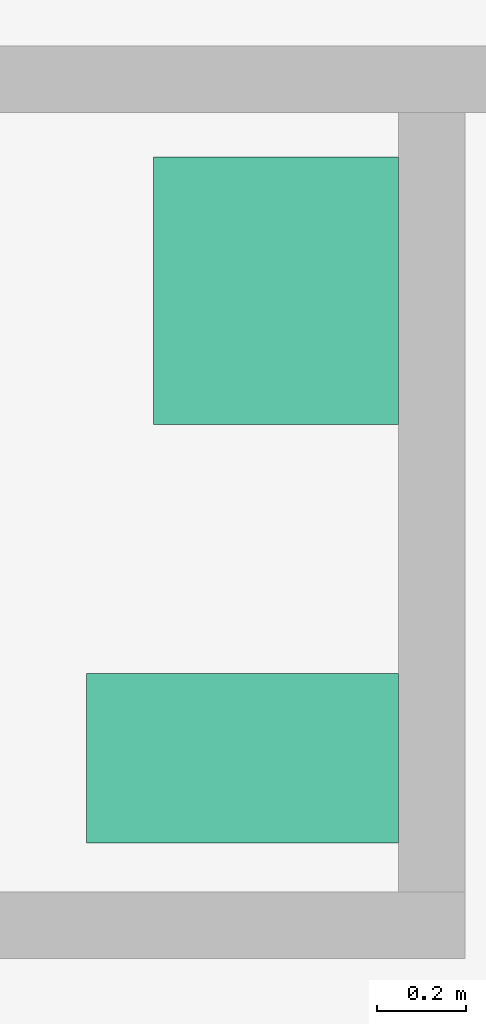
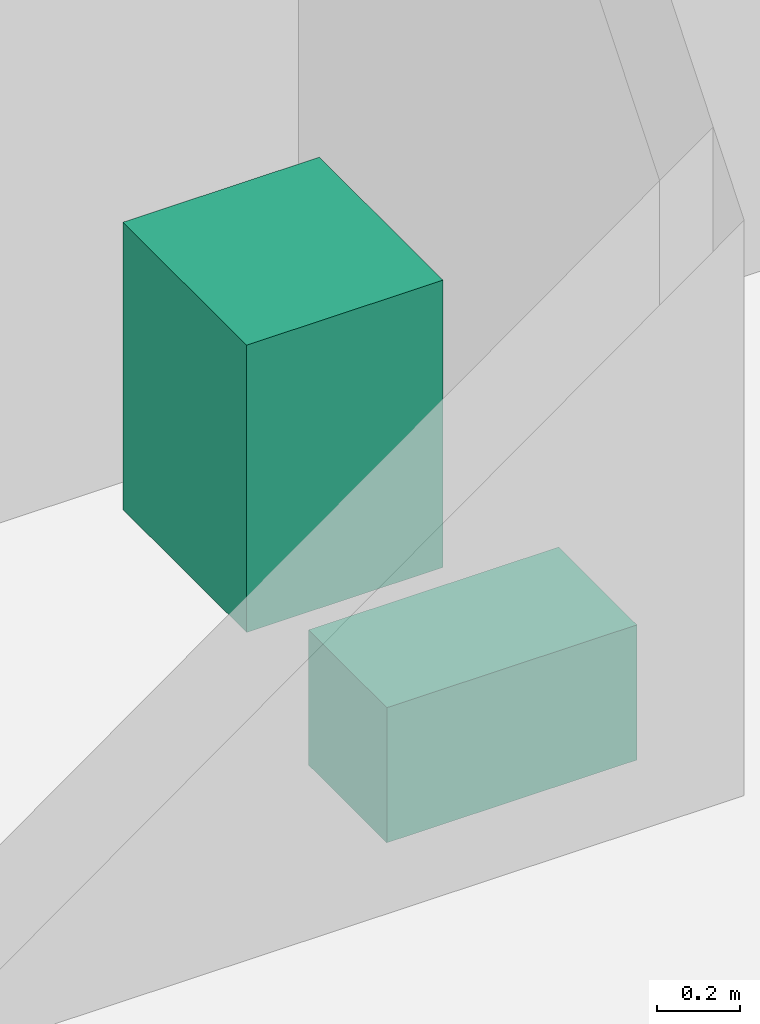
# One storey, part 14 of 14: 2 sanitary terminals.
"""IFC4 building model written with IfcOpenShell, lengths in metres."""

import ifcopenshell
import ifcopenshell.guid

model = None  # the IFC model being written
_history = None  # IfcOwnerHistory: only IFC2X3 demands one
_inside = {}  # id of a spatial element -> (the spatial element, [elements in it])
_under = {}  # id of a project, library or spatial element -> (it, [spatial elements below it])
_declared = {}  # id of a project -> (the project, [libraries it declares])
_typed = {}  # id of a type object -> (the type object, [elements of that type])
_made_of = {}  # id of a material, layer set ... -> (it, [elements and type objects made of it])


def new_model(schema):
    """Start an empty IFC model of exactly this schema.

    Asked for "IFC4X3", IfcOpenShell would pick the latest addendum, in which some entities
    have other attributes; the version numbers below select the first issue.
    IFC2X3 requires an IfcOwnerHistory on every rooted entity: one is made here for all.
    """
    global model, _history
    if schema == "IFC4X3":
        model = ifcopenshell.file(schema_version=(4, 3, 0, 0))
    else:
        model = ifcopenshell.file(schema=schema)
    _inside.clear()
    _under.clear()
    _declared.clear()
    _typed.clear()
    _made_of.clear()
    _history = None
    if model.schema == "IFC2X3":
        org = make("IfcOrganization", Name="unknown")
        user = make(
            "IfcPersonAndOrganization",
            ThePerson=make("IfcPerson", FamilyName="unknown"),
            TheOrganization=org,
        )
        app = make(
            "IfcApplication",
            ApplicationDeveloper=org,
            Version="unknown",
            ApplicationFullName="unknown",
            ApplicationIdentifier="unknown",
        )
        _history = make(
            "IfcOwnerHistory",
            OwningUser=user,
            OwningApplication=app,
            ChangeAction="ADDED",
            CreationDate=0,
        )
    return model


def make(cls, **values):
    """One entity of the class cls with the attributes given. An attribute that is None is left unset."""
    return model.create_entity(
        cls, **{name: value for name, value in values.items() if value is not None}
    )


def rooted(cls, **values):
    """An entity with a GlobalId (a new one), such as an element, a storey or a relation."""
    return make(cls, GlobalId=ifcopenshell.guid.new(), OwnerHistory=_history, **values)


def si_unit(unit_type, name, prefix=None):
    """IfcSIUnit, for example si_unit("LENGTHUNIT", "METRE", prefix="MILLI")."""
    return make("IfcSIUnit", UnitType=unit_type, Prefix=prefix, Name=name)


def assignment(units):
    """IfcUnitAssignment: the units of a project."""
    return None if units is None else make("IfcUnitAssignment", Units=units)


def point(xyz):
    """IfcCartesianPoint."""
    return None if xyz is None else make("IfcCartesianPoint", Coordinates=xyz)


def direction(xyz):
    """IfcDirection."""
    return None if xyz is None else make("IfcDirection", DirectionRatios=xyz)


def frame(location, z_axis=None, x_axis=None):
    """IfcAxis2Placement3D, a coordinate frame: its origin and axes. An axis left out is left unset."""
    return make(
        "IfcAxis2Placement3D",
        Location=point(location),
        Axis=direction(z_axis),
        RefDirection=direction(x_axis),
    )


def frame_2d(location, x_axis=None):
    """IfcAxis2Placement2D, a coordinate frame in the plane: its origin and x axis."""
    return make(
        "IfcAxis2Placement2D", Location=point(location), RefDirection=direction(x_axis)
    )


def origin():
    """The frame at (0, 0, 0) with its axes left unset."""
    return frame((0.0, 0.0, 0.0))


def origin_2d():
    """The frame at (0, 0) in the plane with its x axis left unset."""
    return frame_2d((0.0, 0.0))


def place(relative_to, where):
    """IfcLocalPlacement: puts the frame where relative to a parent placement (None: the world)."""
    return make(
        "IfcLocalPlacement", PlacementRelTo=relative_to, RelativePlacement=where
    )


def context(
    kind, dimensions, precision=None, world=None, true_north=None, identifier=None
):
    """IfcGeometricRepresentationContext, for example the 3D "Model" context."""
    return make(
        "IfcGeometricRepresentationContext",
        ContextIdentifier=identifier,
        ContextType=kind,
        CoordinateSpaceDimension=dimensions,
        Precision=precision,
        WorldCoordinateSystem=world,
        TrueNorth=true_north,
    )


def subcontext(parent, identifier, kind, view, scale=None):
    """IfcGeometricRepresentationSubContext, for example "Body" below "Model"."""
    return make(
        "IfcGeometricRepresentationSubContext",
        ContextIdentifier=identifier,
        ContextType=kind,
        ParentContext=parent,
        TargetScale=scale,
        TargetView=view,
    )


def project(units=None, contexts=None):
    """IfcProject with its units and contexts."""
    return rooted(
        "IfcProject",
        Name="project",
        RepresentationContexts=contexts,
        UnitsInContext=assignment(units),
    )


def spatial(cls, under=None, at=None, **own):
    """A site, building, storey or space (cls), placed at a placement, below another one or the project."""
    s = rooted(cls, ObjectPlacement=at, **own)
    if under is not None:
        _under.setdefault(under.id(), (under, []))[1].append(s)
    return s


def profile(cls, at=None, kind="AREA", **sizes):
    """A parametric profile (cls). Its sizes go by their IFC names, for example OverallWidth=200.0."""
    return make(cls, ProfileType=kind, Position=at, **sizes)


def rectangle(**sizes):
    """IfcRectangleProfileDef."""
    return profile("IfcRectangleProfileDef", **sizes)


def extrude(swept, where, along, depth):
    """IfcExtrudedAreaSolid: the profile swept, set in the frame where, extruded along a direction by depth."""
    return make(
        "IfcExtrudedAreaSolid",
        SweptArea=swept,
        Position=where,
        ExtrudedDirection=direction(along),
        Depth=depth,
    )


def shape(context_of_items, identifier, shape_type, items):
    """IfcShapeRepresentation: the items that make up one representation, for example the "Body"."""
    return make(
        "IfcShapeRepresentation",
        ContextOfItems=context_of_items,
        RepresentationIdentifier=identifier,
        RepresentationType=shape_type,
        Items=items,
    )


def material(Name=None, Category=None):
    """IfcMaterial."""
    return make("IfcMaterial", Name=Name, Category=Category)


def made_of(thing, what):
    """Note that an element or type object is made of a material, layer set ...; save() writes the relation."""
    if what is not None:
        _made_of.setdefault(what.id(), (what, []))[1].append(thing)
    return thing


def element(
    cls,
    number,
    at=None,
    inside=None,
    cuts=None,
    type_object=None,
    material=None,
    context=None,
    identifier="Body",
    shape_type=None,
    held_by="IfcProductDefinitionShape",
    body=None,
    shapes=None,
    **own,
):
    """One element of the class cls, such as IfcWall. Its Tag is "e" and its number.

    at: its placement. inside: the storey or other place that contains it. cuts: it is an
    opening in that element (IfcRelVoidsElement). A single representation is given by context,
    identifier, shape_type and body (its items); several are given by shapes. held_by: the class
    of the entity that holds the representations. save() writes the other relations.
    """
    e = rooted(cls, Tag="e%d" % number, ObjectPlacement=at, **own)
    if body is not None:
        shapes = [shape(context, identifier, shape_type, body)]
    if shapes is not None:
        e.Representation = make(held_by, Representations=shapes)
    if inside is not None:
        _inside.setdefault(inside.id(), (inside, []))[1].append(e)
    if cuts is not None:
        rooted(
            "IfcRelVoidsElement", RelatingBuildingElement=cuts, RelatedOpeningElement=e
        )
    if type_object is not None:
        _typed.setdefault(type_object.id(), (type_object, []))[1].append(e)
    return made_of(e, material)


def aggregate(whole, parts):
    """IfcRelAggregates: a whole, such as a stair, and the parts it consists of."""
    return rooted("IfcRelAggregates", RelatingObject=whole, RelatedObjects=parts)


def save(model, path):
    """Write the relations noted so far, then the file.

    IfcRelAggregates (storeys below a building ...), IfcRelContainedInSpatialStructure (elements
    in a storey), IfcRelDefinesByType, IfcRelAssociatesMaterial and IfcRelDeclares: one each for
    every whole, place, type object, material and project.
    """
    for whole, parts in _under.values():
        aggregate(whole, parts)
    for where, things in _inside.values():
        rooted(
            "IfcRelContainedInSpatialStructure",
            RelatedElements=things,
            RelatingStructure=where,
        )
    for kind, things in _typed.values():
        rooted("IfcRelDefinesByType", RelatedObjects=things, RelatingType=kind)
    for what, things in _made_of.values():
        rooted("IfcRelAssociatesMaterial", RelatedObjects=things, RelatingMaterial=what)
    for by, libraries in _declared.values():
        rooted("IfcRelDeclares", RelatingContext=by, RelatedDefinitions=libraries)
    model.write(path)


model = new_model("IFC4")

# Units and contexts
model_context = context("Model", 3, precision=1e-05, world=origin(), true_north=direction((0.0, 1.0)))
body_context = subcontext(model_context, "Body", "Model", "MODEL_VIEW")
ifc_project = project(units=[si_unit("LENGTHUNIT", "METRE"), si_unit("AREAUNIT", "SQUARE_METRE"), si_unit("VOLUMEUNIT", "CUBIC_METRE"), si_unit("PLANEANGLEUNIT", "RADIAN"), si_unit("MASSUNIT", "GRAM", prefix="KILO")], contexts=[model_context])

# Site, building, storey
site_placement = place(None, origin())
site = spatial("IfcSite", under=ifc_project, at=site_placement, CompositionType="ELEMENT")
building_placement = place(site_placement, origin())
building = spatial("IfcBuilding", under=site, at=building_placement, Name="Kopane Lantern Tower", CompositionType="ELEMENT")
storey_placement = place(building_placement, frame((0.0, 0.0, 151.0)))
storey = spatial("IfcBuildingStorey", under=building, at=storey_placement, Name="L39", CompositionType="ELEMENT", Elevation=151.0)

# Sanitary terminals
ifc_material = material(Name="Vitreous china")
sanitary_terminal_1_placement = place(storey_placement, frame((34.14990234375, 27.75, 0.0), z_axis=(0.0, 0.0, 1.0), x_axis=(1.0, 0.0, 0.0)))
element("IfcSanitaryTerminal", 1, at=sanitary_terminal_1_placement, inside=storey, material=ifc_material, Name="WC pan L39", PredefinedType="TOILETPAN", context=body_context, shape_type="SweptSolid", body=[
    extrude(rectangle(XDim=0.699951171875, YDim=0.3798828125, at=origin_2d()), origin(), (0.0, 0.0, 1.0), 0.39990234375),
])
sanitary_terminal_2_placement = place(storey_placement, frame((34.22509765625, 28.800048828125, 0.0), z_axis=(0.0, 0.0, 1.0), x_axis=(1.0, 0.0, 0.0)))
element("IfcSanitaryTerminal", 2, at=sanitary_terminal_2_placement, inside=storey, material=ifc_material, Name="Wash basin L39", PredefinedType="WASHHANDBASIN", context=body_context, shape_type="SweptSolid", body=[
    extrude(rectangle(XDim=0.550048828125, YDim=0.60009765625, at=origin_2d()), origin(), (0.0, 0.0, 1.0), 0.85009765625),
])

save(model, "model.ifc")
